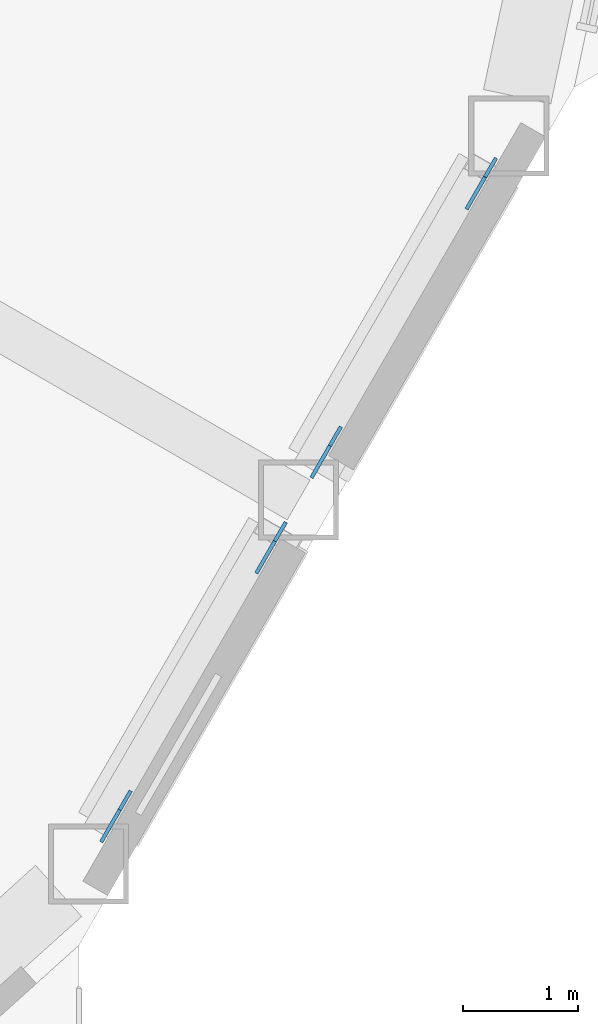
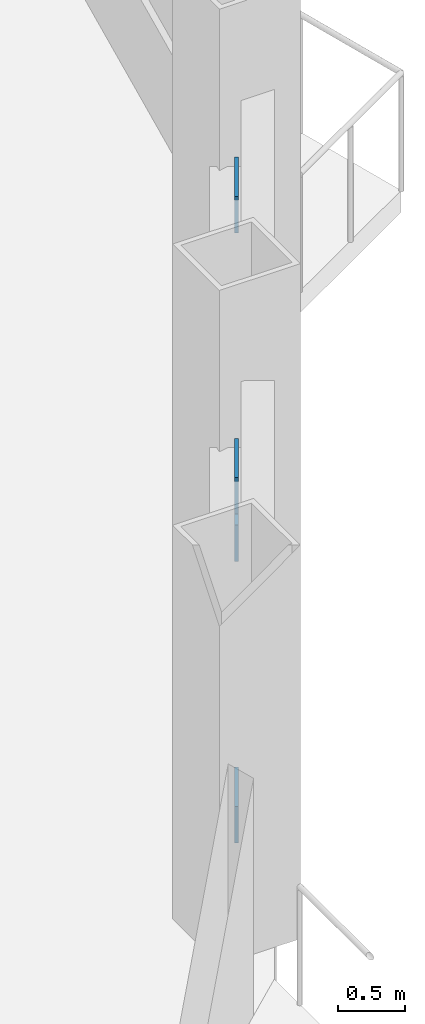
# One storey, part 17 of 24: 4 discrete accessories.
"""IFC4 building model written with IfcOpenShell, lengths in metres."""

from ifc_helpers import new_model, si_unit, direction, frame, origin, origin_2d, place, context, subcontext, project, spatial, rectangle, extrude, material, material_profile, profile_set, type_object, element, save


model = new_model("IFC4")

# Units and contexts
model_context = context("Model", 3, precision=1e-05, world=origin(), true_north=direction((0.0, 1.0)))
body_context = subcontext(model_context, "Body", "Model", "MODEL_VIEW")
ifc_project = project(units=[si_unit("LENGTHUNIT", "METRE"), si_unit("AREAUNIT", "SQUARE_METRE"), si_unit("VOLUMEUNIT", "CUBIC_METRE"), si_unit("PLANEANGLEUNIT", "RADIAN"), si_unit("MASSUNIT", "GRAM", prefix="KILO")], contexts=[model_context])

# Site, building, storey
site_placement = place(None, origin())
site = spatial("IfcSite", under=ifc_project, at=site_placement, CompositionType="ELEMENT")
building_placement = place(site_placement, origin())
building = spatial("IfcBuilding", under=site, at=building_placement, Name="Cormorant Prow Tower", CompositionType="ELEMENT")
storey_placement = place(building_placement, frame((0.0, 0.0, 231.0)))
storey = spatial("IfcBuildingStorey", under=building, at=storey_placement, Name="L50", CompositionType="ELEMENT", Elevation=231.0)

# Discrete accessories
ifc_material = material(Name="Structural steel ASTM A500 Gr C", Category="steel")
ifc_material_profile = material_profile(ifc_material, rectangle(XDim=0.031982421875, YDim=0.506103515625, at=origin_2d()), Name="Gusset plate 32x506")
ifc_profile_set = profile_set([ifc_material_profile], Name="Structural steel ASTM A500 Gr C")
discrete_accessory_type = type_object("IfcDiscreteAccessoryType", Name="Gusset plate 32x506", PredefinedType="BRACKET", material=ifc_profile_set)
discrete_accessory_1_placement = place(storey_placement, frame((26.262939453125, -18.658203125, 0.863037109375), z_axis=(-0.462827914709, -0.801584490837, -0.378487285673), x_axis=(0.866010015463, -0.500026652407, 0.0)))
element("IfcDiscreteAccessory", 1, at=discrete_accessory_1_placement, inside=storey, type_object=discrete_accessory_type, Name="Gusset plate GP2 L50.ESE00.g0", PredefinedType="BRACKET", context=body_context, shape_type="SweptSolid", body=[
    extrude(rectangle(XDim=0.031982421875, YDim=0.506103515625, at=origin_2d()), origin(), (0.0, 0.0, 1.0), 0.350341796875),
])
discrete_accessory_2_placement = place(storey_placement, frame((27.454833984375, -16.59375, 1.837890625), z_axis=(0.46266066689, 0.801805590131, 0.37822335061), x_axis=(-0.866147934042, 0.499787711288, 0.0)))
element("IfcDiscreteAccessory", 2, at=discrete_accessory_2_placement, inside=storey, type_object=discrete_accessory_type, Name="Gusset plate GP2 L50.ESE00.g1", PredefinedType="BRACKET", context=body_context, shape_type="SweptSolid", body=[
    extrude(rectangle(XDim=0.031982421875, YDim=0.506103515625, at=origin_2d()), origin(), (0.0, 0.0, 1.0), 0.349853515625),
])
discrete_accessory_3_placement = place(storey_placement, frame((28.09814453125, -15.4794921875, 0.863037109375), z_axis=(-0.462827914709, -0.801584490837, -0.378487285673), x_axis=(0.866010015463, -0.500026652407, 0.0)))
element("IfcDiscreteAccessory", 3, at=discrete_accessory_3_placement, inside=storey, type_object=discrete_accessory_type, Name="Gusset plate GP2 L50.ESE01.g0", PredefinedType="BRACKET", context=body_context, shape_type="SweptSolid", body=[
    extrude(rectangle(XDim=0.031982421875, YDim=0.506103515625, at=origin_2d()), origin(), (0.0, 0.0, 1.0), 0.350341796875),
])
discrete_accessory_4_placement = place(storey_placement, frame((29.2900390625, -13.4150390625, 1.837890625), z_axis=(0.46266066689, 0.801805590131, 0.37822335061), x_axis=(-0.866147934042, 0.499787711288, 0.0)))
element("IfcDiscreteAccessory", 4, at=discrete_accessory_4_placement, inside=storey, type_object=discrete_accessory_type, Name="Gusset plate GP2 L50.ESE01.g1", PredefinedType="BRACKET", context=body_context, shape_type="SweptSolid", body=[
    extrude(rectangle(XDim=0.031982421875, YDim=0.506103515625, at=origin_2d()), origin(), (0.0, 0.0, 1.0), 0.349853515625),
])

save(model, "model.ifc")
